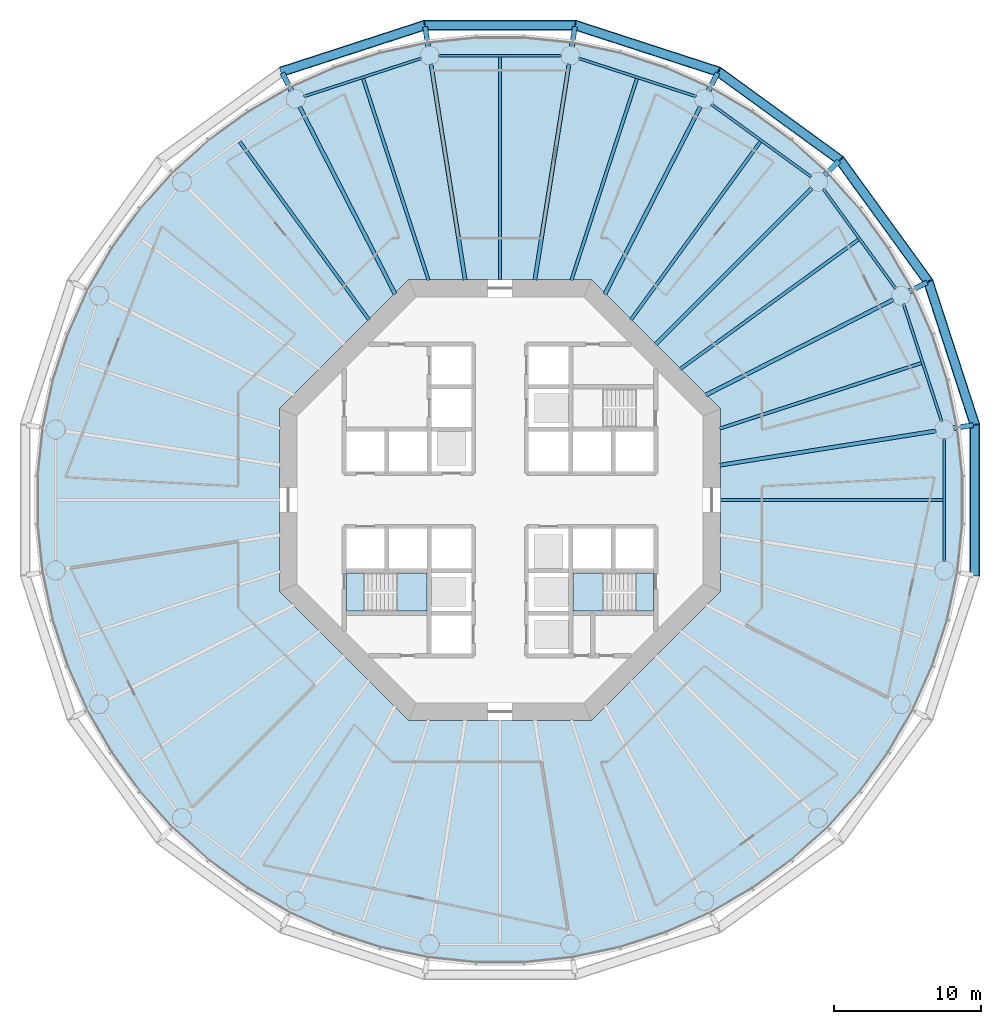
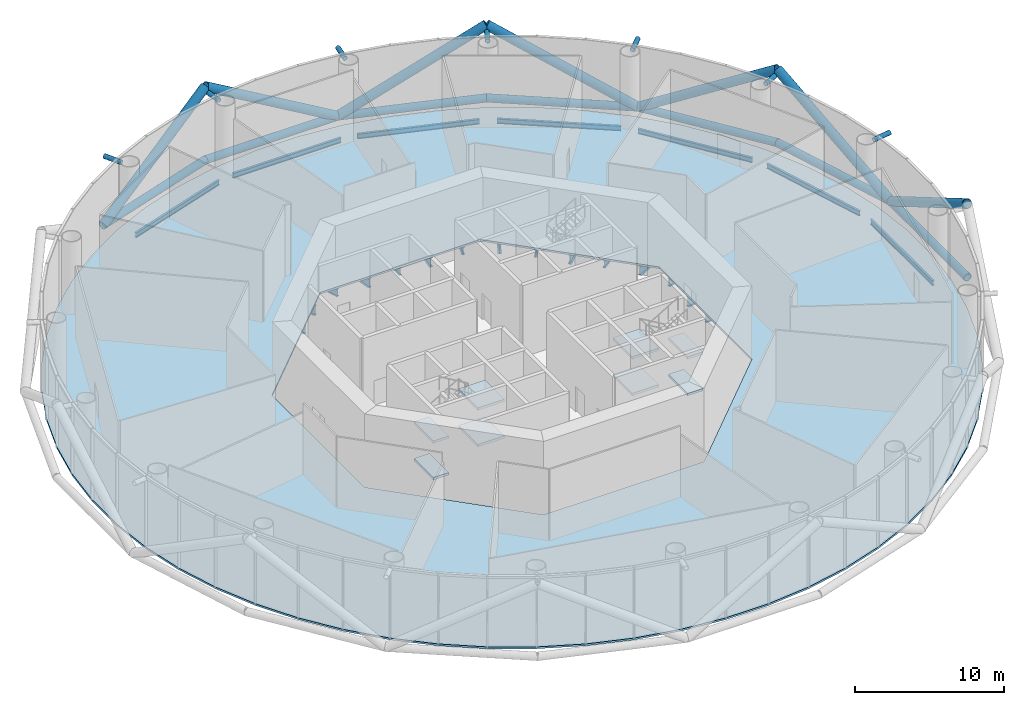
# One storey, part 2 of 14: 22 beams, 21 members, 9 slabs, 2 elements without a shape of their own.
"""IFC4 building model written with IfcOpenShell, lengths in metres."""

import ifcopenshell
import ifcopenshell.guid

model = None  # the IFC model being written
_history = None  # IfcOwnerHistory: only IFC2X3 demands one
_inside = {}  # id of a spatial element -> (the spatial element, [elements in it])
_under = {}  # id of a project, library or spatial element -> (it, [spatial elements below it])
_declared = {}  # id of a project -> (the project, [libraries it declares])
_typed = {}  # id of a type object -> (the type object, [elements of that type])
_made_of = {}  # id of a material, layer set ... -> (it, [elements and type objects made of it])


def new_model(schema):
    """Start an empty IFC model of exactly this schema.

    Asked for "IFC4X3", IfcOpenShell would pick the latest addendum, in which some entities
    have other attributes; the version numbers below select the first issue.
    IFC2X3 requires an IfcOwnerHistory on every rooted entity: one is made here for all.
    """
    global model, _history
    if schema == "IFC4X3":
        model = ifcopenshell.file(schema_version=(4, 3, 0, 0))
    else:
        model = ifcopenshell.file(schema=schema)
    _inside.clear()
    _under.clear()
    _declared.clear()
    _typed.clear()
    _made_of.clear()
    _history = None
    if model.schema == "IFC2X3":
        org = make("IfcOrganization", Name="unknown")
        user = make(
            "IfcPersonAndOrganization",
            ThePerson=make("IfcPerson", FamilyName="unknown"),
            TheOrganization=org,
        )
        app = make(
            "IfcApplication",
            ApplicationDeveloper=org,
            Version="unknown",
            ApplicationFullName="unknown",
            ApplicationIdentifier="unknown",
        )
        _history = make(
            "IfcOwnerHistory",
            OwningUser=user,
            OwningApplication=app,
            ChangeAction="ADDED",
            CreationDate=0,
        )
    return model


def make(cls, **values):
    """One entity of the class cls with the attributes given. An attribute that is None is left unset."""
    return model.create_entity(
        cls, **{name: value for name, value in values.items() if value is not None}
    )


def rooted(cls, **values):
    """An entity with a GlobalId (a new one), such as an element, a storey or a relation."""
    return make(cls, GlobalId=ifcopenshell.guid.new(), OwnerHistory=_history, **values)


def si_unit(unit_type, name, prefix=None):
    """IfcSIUnit, for example si_unit("LENGTHUNIT", "METRE", prefix="MILLI")."""
    return make("IfcSIUnit", UnitType=unit_type, Prefix=prefix, Name=name)


def assignment(units):
    """IfcUnitAssignment: the units of a project."""
    return None if units is None else make("IfcUnitAssignment", Units=units)


def point(xyz):
    """IfcCartesianPoint."""
    return None if xyz is None else make("IfcCartesianPoint", Coordinates=xyz)


def direction(xyz):
    """IfcDirection."""
    return None if xyz is None else make("IfcDirection", DirectionRatios=xyz)


def frame(location, z_axis=None, x_axis=None):
    """IfcAxis2Placement3D, a coordinate frame: its origin and axes. An axis left out is left unset."""
    return make(
        "IfcAxis2Placement3D",
        Location=point(location),
        Axis=direction(z_axis),
        RefDirection=direction(x_axis),
    )


def frame_2d(location, x_axis=None):
    """IfcAxis2Placement2D, a coordinate frame in the plane: its origin and x axis."""
    return make(
        "IfcAxis2Placement2D", Location=point(location), RefDirection=direction(x_axis)
    )


def origin():
    """The frame at (0, 0, 0) with its axes left unset."""
    return frame((0.0, 0.0, 0.0))


def origin_2d():
    """The frame at (0, 0) in the plane with its x axis left unset."""
    return frame_2d((0.0, 0.0))


def place(relative_to, where):
    """IfcLocalPlacement: puts the frame where relative to a parent placement (None: the world)."""
    return make(
        "IfcLocalPlacement", PlacementRelTo=relative_to, RelativePlacement=where
    )


def context(
    kind, dimensions, precision=None, world=None, true_north=None, identifier=None
):
    """IfcGeometricRepresentationContext, for example the 3D "Model" context."""
    return make(
        "IfcGeometricRepresentationContext",
        ContextIdentifier=identifier,
        ContextType=kind,
        CoordinateSpaceDimension=dimensions,
        Precision=precision,
        WorldCoordinateSystem=world,
        TrueNorth=true_north,
    )


def subcontext(parent, identifier, kind, view, scale=None):
    """IfcGeometricRepresentationSubContext, for example "Body" below "Model"."""
    return make(
        "IfcGeometricRepresentationSubContext",
        ContextIdentifier=identifier,
        ContextType=kind,
        ParentContext=parent,
        TargetScale=scale,
        TargetView=view,
    )


def project(units=None, contexts=None):
    """IfcProject with its units and contexts."""
    return rooted(
        "IfcProject",
        Name="project",
        RepresentationContexts=contexts,
        UnitsInContext=assignment(units),
    )


def spatial(cls, under=None, at=None, **own):
    """A site, building, storey or space (cls), placed at a placement, below another one or the project."""
    s = rooted(cls, ObjectPlacement=at, **own)
    if under is not None:
        _under.setdefault(under.id(), (under, []))[1].append(s)
    return s


def polyline(points):
    """IfcPolyline through the points."""
    return make("IfcPolyline", Points=[point(p) for p in points])


def profile(cls, at=None, kind="AREA", **sizes):
    """A parametric profile (cls). Its sizes go by their IFC names, for example OverallWidth=200.0."""
    return make(cls, ProfileType=kind, Position=at, **sizes)


def circle(**sizes):
    """IfcCircleProfileDef."""
    return profile("IfcCircleProfileDef", **sizes)


def hollow_circle(**sizes):
    """IfcCircleHollowProfileDef."""
    return profile("IfcCircleHollowProfileDef", **sizes)


def i_section(**sizes):
    """IfcIShapeProfileDef."""
    return profile("IfcIShapeProfileDef", **sizes)


def outline(outer, holes=None, kind="AREA"):
    """IfcArbitraryClosedProfileDef: a profile drawn as a closed curve; with holes, ...WithVoids."""
    if holes is None:
        return make("IfcArbitraryClosedProfileDef", ProfileType=kind, OuterCurve=outer)
    return make(
        "IfcArbitraryProfileDefWithVoids",
        ProfileType=kind,
        OuterCurve=outer,
        InnerCurves=holes,
    )


def extrude(swept, where, along, depth):
    """IfcExtrudedAreaSolid: the profile swept, set in the frame where, extruded along a direction by depth."""
    return make(
        "IfcExtrudedAreaSolid",
        SweptArea=swept,
        Position=where,
        ExtrudedDirection=direction(along),
        Depth=depth,
    )


def shape(context_of_items, identifier, shape_type, items):
    """IfcShapeRepresentation: the items that make up one representation, for example the "Body"."""
    return make(
        "IfcShapeRepresentation",
        ContextOfItems=context_of_items,
        RepresentationIdentifier=identifier,
        RepresentationType=shape_type,
        Items=items,
    )


def material(Name=None, Category=None):
    """IfcMaterial."""
    return make("IfcMaterial", Name=Name, Category=Category)


def layer(
    of_material, thickness, ventilated=None, Name=None, Category=None, Priority=None
):
    """IfcMaterialLayer: one layer of a wall or slab, of a material (None: an air gap)."""
    return make(
        "IfcMaterialLayer",
        Material=of_material,
        LayerThickness=thickness,
        IsVentilated=ventilated,
        Name=Name,
        Category=Category,
        Priority=Priority,
    )


def layer_set(layers, Name=None):
    """IfcMaterialLayerSet."""
    return make("IfcMaterialLayerSet", MaterialLayers=layers, LayerSetName=Name)


def material_profile(
    of_material, cross_section, Name=None, Category=None, Priority=None
):
    """IfcMaterialProfile: a cross section and its material."""
    return make(
        "IfcMaterialProfile",
        Name=Name,
        Material=of_material,
        Profile=cross_section,
        Priority=Priority,
        Category=Category,
    )


def profile_set(profiles, Name=None, composite=None):
    """IfcMaterialProfileSet."""
    return make(
        "IfcMaterialProfileSet",
        Name=Name,
        MaterialProfiles=profiles,
        CompositeProfile=composite,
    )


def made_of(thing, what):
    """Note that an element or type object is made of a material, layer set ...; save() writes the relation."""
    if what is not None:
        _made_of.setdefault(what.id(), (what, []))[1].append(thing)
    return thing


def type_object(cls, material=None, **own):
    """A type object (cls), such as IfcWallType, which elements share."""
    return made_of(rooted(cls, **own), material)


def element(
    cls,
    number,
    at=None,
    inside=None,
    cuts=None,
    type_object=None,
    material=None,
    context=None,
    identifier="Body",
    shape_type=None,
    held_by="IfcProductDefinitionShape",
    body=None,
    shapes=None,
    **own,
):
    """One element of the class cls, such as IfcWall. Its Tag is "e" and its number.

    at: its placement. inside: the storey or other place that contains it. cuts: it is an
    opening in that element (IfcRelVoidsElement). A single representation is given by context,
    identifier, shape_type and body (its items); several are given by shapes. held_by: the class
    of the entity that holds the representations. save() writes the other relations.
    """
    e = rooted(cls, Tag="e%d" % number, ObjectPlacement=at, **own)
    if body is not None:
        shapes = [shape(context, identifier, shape_type, body)]
    if shapes is not None:
        e.Representation = make(held_by, Representations=shapes)
    if inside is not None:
        _inside.setdefault(inside.id(), (inside, []))[1].append(e)
    if cuts is not None:
        rooted(
            "IfcRelVoidsElement", RelatingBuildingElement=cuts, RelatedOpeningElement=e
        )
    if type_object is not None:
        _typed.setdefault(type_object.id(), (type_object, []))[1].append(e)
    return made_of(e, material)


def aggregate(whole, parts):
    """IfcRelAggregates: a whole, such as a stair, and the parts it consists of."""
    return rooted("IfcRelAggregates", RelatingObject=whole, RelatedObjects=parts)


def save(model, path):
    """Write the relations noted so far, then the file.

    IfcRelAggregates (storeys below a building ...), IfcRelContainedInSpatialStructure (elements
    in a storey), IfcRelDefinesByType, IfcRelAssociatesMaterial and IfcRelDeclares: one each for
    every whole, place, type object, material and project.
    """
    for whole, parts in _under.values():
        aggregate(whole, parts)
    for where, things in _inside.values():
        rooted(
            "IfcRelContainedInSpatialStructure",
            RelatedElements=things,
            RelatingStructure=where,
        )
    for kind, things in _typed.values():
        rooted("IfcRelDefinesByType", RelatedObjects=things, RelatingType=kind)
    for what, things in _made_of.values():
        rooted("IfcRelAssociatesMaterial", RelatedObjects=things, RelatingMaterial=what)
    for by, libraries in _declared.values():
        rooted("IfcRelDeclares", RelatingContext=by, RelatedDefinitions=libraries)
    model.write(path)


model = new_model("IFC4")

# Units and contexts
model_context = context("Model", 3, precision=1e-05, world=origin(), true_north=direction((0.0, 1.0)))
body_context = subcontext(model_context, "Body", "Model", "MODEL_VIEW")
ifc_project = project(units=[si_unit("LENGTHUNIT", "METRE"), si_unit("AREAUNIT", "SQUARE_METRE"), si_unit("VOLUMEUNIT", "CUBIC_METRE"), si_unit("PLANEANGLEUNIT", "RADIAN"), si_unit("MASSUNIT", "GRAM", prefix="KILO")], contexts=[model_context])

# Site, building, storey
site_placement = place(None, origin())
site = spatial("IfcSite", under=ifc_project, at=site_placement, CompositionType="ELEMENT")
building_placement = place(site_placement, origin())
building = spatial("IfcBuilding", under=site, at=building_placement, Name="Entoto Ring Tower", CompositionType="ELEMENT")
storey_placement = place(building_placement, frame((0.0, 0.0, 132.0)))
storey = spatial("IfcBuildingStorey", under=building, at=storey_placement, Name="L30", CompositionType="ELEMENT", Elevation=132.0)

# Members
ifc_material_1 = material(Name="Steel S355", Category="steel")
ifc_material_profile_1 = material_profile(ifc_material_1, hollow_circle(Radius=0.35009765625, WallThickness=0.034912109375, at=origin_2d()), Name="CHS 700 x 35")
ifc_material_2 = material(Name="Concrete C60/75", Category="concrete")
ifc_material_profile_2 = material_profile(ifc_material_2, circle(Radius=0.31494140625, at=origin_2d()), Name="Concrete C60/75 infill")
ifc_profile_set_1 = profile_set([ifc_material_profile_1, ifc_material_profile_2], Name="Steel S355")
member_type_1 = type_object("IfcMemberType", Name="Diagrid diagonal 700 x 35 concrete-filled tube", PredefinedType="BRACE", material=ifc_profile_set_1)
member_1_placement = place(storey_placement, frame((122.29736328125, 85.115478515625, 0.0), z_axis=(0.0, -0.862604433537, 0.505879028268), x_axis=(1.0, 0.0, 0.0)))
element("IfcMember", 1, at=member_1_placement, inside=storey, type_object=member_type_1, Name="DG3 module 9 01", PredefinedType="BRACE", context=body_context, shape_type="SweptSolid", body=[
    extrude(hollow_circle(Radius=0.35009765625, WallThickness=0.034912109375, at=origin_2d()), origin(), (0.0, 0.0, 1.0), 11.860595703125),
])
for number, where, z_axis, x_axis, name in (
    (2, (122.29736328125, 85.115478515625, 0.0), (-0.266551077014, 0.820382008133, 0.505889201382), (-0.95105896794, -0.309009448885, 0.0), "DG3 module 9 02"),
    (3, (113.122314453125, 103.122314453125, 0.0), (0.507035164187, -0.697852636257, 0.505882437279), (0.809008424404, 0.587797047665, 0.0), "DG3 module 9 03"),
    (4, (113.122314453125, 103.122314453125, 0.0), (-0.697852636257, 0.507035164187, 0.505882437279), (-0.587797047665, -0.809008424404, 0.0), "DG3 module 9 04"),
    (5, (95.115478515625, 112.29736328125, 0.0), (0.820382008133, -0.266551077014, 0.505889201382), (0.309009448885, 0.95105896794, 0.0), "DG3 module 9 05"),
):
    element("IfcMember", number, at=place(storey_placement, frame(where, z_axis=z_axis, x_axis=x_axis)), inside=storey, type_object=member_type_1, Name=name, PredefinedType="BRACE", context=body_context, shape_type="SweptSolid", body=[
        extrude(hollow_circle(Radius=0.35009765625, WallThickness=0.034912109375, at=origin_2d()), origin(), (0.0, 0.0, 1.0), 11.8603515625),
    ])
member_2_placement = place(storey_placement, frame((95.115478515625, 112.29736328125, 0.0), z_axis=(-0.862604433537, 0.0, 0.505879028268), x_axis=(0.0, -1.0, 0.0)))
element("IfcMember", 6, at=member_2_placement, inside=storey, type_object=member_type_1, Name="DG3 module 9 06", PredefinedType="BRACE", context=body_context, shape_type="SweptSolid", body=[
    extrude(hollow_circle(Radius=0.35009765625, WallThickness=0.034912109375, at=origin_2d()), origin(), (0.0, 0.0, 1.0), 11.860595703125),
])
member_3_placement = place(storey_placement, frame((75.154541015625, 109.135986328125, 0.0), z_axis=(0.820382008133, 0.266551077014, 0.505889201382), x_axis=(-0.309009448885, 0.95105896794, 0.0)))
element("IfcMember", 7, at=member_3_placement, inside=storey, type_object=member_type_1, Name="DG3 module 9 07", PredefinedType="BRACE", context=body_context, shape_type="SweptSolid", body=[
    extrude(hollow_circle(Radius=0.35009765625, WallThickness=0.034912109375, at=origin_2d()), origin(), (0.0, 0.0, 1.0), 11.8603515625),
])
ifc_material_3 = material(Name="Steel S355", Category="steel")
ifc_material_profile_3 = material_profile(ifc_material_3, hollow_circle(Radius=0.177734375, WallThickness=0.01611328125, at=origin_2d()), Name="CHS 355.6 x 16")
ifc_material_4 = material(Name="Concrete C60/75", Category="concrete")
ifc_material_profile_4 = material_profile(ifc_material_4, circle(Radius=0.161865234375, at=origin_2d()), Name="Concrete C60/75 infill")
ifc_profile_set_2 = profile_set([ifc_material_profile_3, ifc_material_profile_4], Name="Steel S355")
member_type_2 = type_object("IfcMemberType", Name="Diagrid node strut 355.6 x 16", PredefinedType="STRUT", material=ifc_profile_set_2)
for number, where, z_axis, x_axis, name in (
    (8, (117.8271484375, 94.1787109375, 5.672119140625), (0.891049024255, 0.453907079009, 0.0), (-0.453907079009, 0.891049024255, 0.0), "DS1 strut ring 9 01"),
    (9, (112.083740234375, 102.083740234375, 5.672119140625), (0.707106781187, 0.707106781187, 0.0), (-0.707106781187, 0.707106781187, 0.0), "DS1 strut ring 9 02"),
    (10, (104.1787109375, 107.8271484375, 5.672119140625), (0.453907079009, 0.891049024255, 0.0), (-0.891049024255, 0.453907079009, 0.0), "DS1 strut ring 9 03"),
    (11, (94.8857421875, 110.8466796875, 5.672119140625), (0.156411319862, 0.987692006153, 0.0), (-0.987692006153, 0.156411319862, 0.0), "DS1 strut ring 9 04"),
    (12, (85.1142578125, 110.8466796875, 5.672119140625), (-0.156411319862, 0.987692006153, 0.0), (-0.987692006153, -0.156411319862, 0.0), "DS1 strut ring 9 05"),
    (13, (75.8212890625, 107.8271484375, 5.672119140625), (-0.453907079009, 0.891049024255, 0.0), (-0.891049024255, -0.453907079009, 0.0), "DS1 strut ring 9 06"),
    (14, (120.8466796875, 84.8857421875, 5.672119140625), (0.987692006153, 0.156411319862, 0.0), (-0.156411319862, 0.987692006153, 0.0), "DS1 strut ring 9 20"),
):
    element("IfcMember", number, at=place(storey_placement, frame(where, z_axis=z_axis, x_axis=x_axis)), inside=storey, type_object=member_type_2, Name=name, PredefinedType="STRUT", context=body_context, shape_type="SweptSolid", body=[
        extrude(hollow_circle(Radius=0.177734375, WallThickness=0.01611328125, at=origin_2d()), origin(), (0.0, 0.0, 1.0), 1.368896484375),
    ])
ifc_material_5 = material(Name="Steel S355", Category="steel")
ifc_material_profile_5 = material_profile(ifc_material_5, hollow_circle(Radius=0.300048828125, WallThickness=0.030029296875, at=origin_2d()), Name="CHS 600 x 30")
ifc_material_6 = material(Name="Concrete C60/75", Category="concrete")
ifc_material_profile_6 = material_profile(ifc_material_6, circle(Radius=0.27001953125, at=origin_2d()), Name="Concrete C60/75 infill")
ifc_profile_set_3 = profile_set([ifc_material_profile_5, ifc_material_profile_6], Name="Steel S355")
member_type_3 = type_object("IfcMemberType", Name="Diagrid ring beam 600 x 30", PredefinedType="CHORD", material=ifc_profile_set_3)
member_4_placement = place(storey_placement, frame((122.318359375, 85.05126953125, 0.0), z_axis=(-0.309032815696, 0.951051375491, 0.0), x_axis=(-0.951051375491, -0.309032815696, 0.0)))
element("IfcMember", 15, at=member_4_placement, inside=storey, type_object=member_type_3, Name="DR1 ring 8 01", PredefinedType="CHORD", context=body_context, shape_type="SweptSolid", body=[
    extrude(hollow_circle(Radius=0.300048828125, WallThickness=0.030029296875, at=origin_2d()), origin(), (0.0, 0.0, 1.0), 10.36572265625),
])
for number, where, z_axis, x_axis, name in (
    (16, (119.175537109375, 94.790771484375, 0.0), (-0.587773909122, 0.809025235549, 0.0), (-0.809025235549, -0.587773909122, 0.0), "DR1 ring 8 02"),
    (17, (113.177001953125, 103.082763671875, 0.0), (-0.809025235549, 0.587773909122, 0.0), (-0.587773909122, -0.809025235549, 0.0), "DR1 ring 8 03"),
):
    element("IfcMember", number, at=place(storey_placement, frame(where, z_axis=z_axis, x_axis=x_axis)), inside=storey, type_object=member_type_3, Name=name, PredefinedType="CHORD", context=body_context, shape_type="SweptSolid", body=[
        extrude(hollow_circle(Radius=0.300048828125, WallThickness=0.030029296875, at=origin_2d()), origin(), (0.0, 0.0, 1.0), 10.365966796875),
    ])
for number, where, z_axis, x_axis, name in (
    (18, (104.90966796875, 109.114990234375, 0.0), (-0.951051375491, 0.309032815696, 0.0), (-0.309032815696, -0.951051375491, 0.0), "DR1 ring 8 04"),
    (19, (95.182861328125, 112.29736328125, 0.0), (-1.0, 0.0, 0.0), (0.0, -1.0, 0.0), "DR1 ring 8 05"),
    (20, (84.94873046875, 112.318359375, 0.0), (-0.951051375491, -0.309032815696, 0.0), (0.309032815696, -0.951051375491, 0.0), "DR1 ring 8 06"),
    (21, (122.29736328125, 74.817138671875, 0.0), (0.0, 1.0, 0.0), (-1.0, 0.0, 0.0), "DR1 ring 8 20"),
):
    element("IfcMember", number, at=place(storey_placement, frame(where, z_axis=z_axis, x_axis=x_axis)), inside=storey, type_object=member_type_3, Name=name, PredefinedType="CHORD", context=body_context, shape_type="SweptSolid", body=[
        extrude(hollow_circle(Radius=0.300048828125, WallThickness=0.030029296875, at=origin_2d()), origin(), (0.0, 0.0, 1.0), 10.36572265625),
    ])

# Beams
ifc_material_7 = material(Name="Steel S355", Category="steel")
ifc_material_profile_7 = material_profile(ifc_material_7, i_section(OverallWidth=0.179931640625, OverallDepth=0.39990234375, WebThickness=0.008544921875, FlangeThickness=0.013427734375, FilletRadius=0.02099609375, at=origin_2d()), Name="IPE 400")
ifc_profile_set_4 = profile_set([ifc_material_profile_7], Name="Steel S355")
beam_type_1 = type_object("IfcBeamType", Name="Edge beam IPE 400", PredefinedType="SPANDREL", material=ifc_profile_set_4)
for number, where, z_axis, x_axis, name in (
    (22, (120.038330078125, 85.35595703125, -0.35009765625), (-0.309014241039, 0.951057410904, 0.0), (-0.951057410904, -0.309014241039, 0.0), "Edge beam L30 01"),
    (23, (116.9130859375, 94.376220703125, -0.35009765625), (-0.587783458554, 0.8090182976, 0.0), (-0.8090182976, -0.587783458554, 0.0), "Edge beam L30 02"),
    (24, (111.1533203125, 101.9892578125, -0.35009765625), (-0.8090182976, 0.587783458554, 0.0), (-0.587783458554, -0.8090182976, 0.0), "Edge beam L30 03"),
    (25, (103.322998046875, 107.44970703125, -0.35009765625), (-0.951057410904, 0.309014241039, 0.0), (-0.309014241039, -0.951057410904, 0.0), "Edge beam L30 04"),
    (26, (94.1884765625, 110.22314453125, -0.35009765625), (-1.0, 0.0, 0.0), (0.0, -1.0, 0.0), "Edge beam L30 05"),
    (27, (84.64404296875, 110.038330078125, -0.35009765625), (-0.951057410904, -0.309014241039, 0.0), (0.309014241039, -0.951057410904, 0.0), "Edge beam L30 06"),
    (28, (120.22314453125, 75.8115234375, -0.35009765625), (0.0, 1.0, 0.0), (-1.0, 0.0, 0.0), "Edge beam L30 20"),
):
    element("IfcBeam", number, at=place(storey_placement, frame(where, z_axis=z_axis, x_axis=x_axis)), inside=storey, type_object=beam_type_1, Name=name, PredefinedType="SPANDREL", context=body_context, shape_type="SweptSolid", body=[
        extrude(i_section(OverallWidth=0.179931640625, OverallDepth=0.39990234375, WebThickness=0.008544921875, FlangeThickness=0.013427734375, FilletRadius=0.02099609375, at=origin_2d()), origin(), (0.0, 0.0, 1.0), 8.376953125),
    ])
ifc_material_8 = material(Name="Steel S355", Category="steel")
ifc_material_profile_8 = material_profile(ifc_material_8, i_section(OverallWidth=0.262939453125, OverallDepth=0.7529296875, WebThickness=0.011474609375, FlangeThickness=0.01708984375, FilletRadius=0.01708984375, at=origin_2d()), Name="IPE 750 x 137")
ifc_profile_set_5 = profile_set([ifc_material_profile_8], Name="Steel S355")
beam_type_2 = type_object("IfcBeamType", Name="Primary floor beam IPE 750 x 137", PredefinedType="BEAM", material=ifc_profile_set_5)
beam_1_placement = place(storey_placement, frame((104.959716796875, 82.369384765625, -0.526611328125), z_axis=(0.98768960451, 0.156426484787, 0.0), x_axis=(-0.156426484787, 0.98768960451, 0.0)))
element("IfcBeam", 29, at=beam_1_placement, inside=storey, type_object=beam_type_2, Name="Primary L30 R01", PredefinedType="BEAM", context=body_context, shape_type="SweptSolid", body=[
    extrude(i_section(OverallWidth=0.262939453125, OverallDepth=0.7529296875, WebThickness=0.011474609375, FlangeThickness=0.01708984375, FilletRadius=0.01708984375, at=origin_2d()), origin(), (0.0, 0.0, 1.0), 14.86279296875),
])
beam_2_placement = place(storey_placement, frame((103.9970703125, 87.1318359375, -0.526611328125), z_axis=(0.891007312585, 0.453988952421, 0.0), x_axis=(-0.453988952421, 0.891007312585, 0.0)))
element("IfcBeam", 30, at=beam_2_placement, inside=storey, type_object=beam_type_2, Name="Primary L30 R02", PredefinedType="BEAM", context=body_context, shape_type="SweptSolid", body=[
    extrude(i_section(OverallWidth=0.262939453125, OverallDepth=0.7529296875, WebThickness=0.011474609375, FlangeThickness=0.01708984375, FilletRadius=0.01708984375, at=origin_2d()), origin(), (0.0, 0.0, 1.0), 14.2998046875),
])
beam_3_placement = place(storey_placement, frame((100.592529296875, 90.592529296875, -0.526611328125), z_axis=(0.707106781187, 0.707106781187, 0.0), x_axis=(-0.707106781187, 0.707106781187, 0.0)))
element("IfcBeam", 31, at=beam_3_placement, inside=storey, type_object=beam_type_2, Name="Primary L30 R03", PredefinedType="BEAM", context=body_context, shape_type="SweptSolid", body=[
    extrude(i_section(OverallWidth=0.262939453125, OverallDepth=0.7529296875, WebThickness=0.011474609375, FlangeThickness=0.01708984375, FilletRadius=0.01708984375, at=origin_2d()), origin(), (0.0, 0.0, 1.0), 15.029052734375),
])
beam_4_placement = place(storey_placement, frame((97.1318359375, 93.9970703125, -0.526611328125), z_axis=(0.453988952421, 0.891007312585, 0.0), x_axis=(-0.891007312585, 0.453988952421, 0.0)))
element("IfcBeam", 32, at=beam_4_placement, inside=storey, type_object=beam_type_2, Name="Primary L30 R04", PredefinedType="BEAM", context=body_context, shape_type="SweptSolid", body=[
    extrude(i_section(OverallWidth=0.262939453125, OverallDepth=0.7529296875, WebThickness=0.011474609375, FlangeThickness=0.01708984375, FilletRadius=0.01708984375, at=origin_2d()), origin(), (0.0, 0.0, 1.0), 14.2998046875),
])
for number, where, z_axis, x_axis, name in (
    (33, (92.369384765625, 94.959716796875, -0.526611328125), (0.156426484787, 0.98768960451, 0.0), (-0.98768960451, 0.156426484787, 0.0), "Primary L30 R05"),
    (34, (87.630615234375, 94.959716796875, -0.526611328125), (-0.156426484787, 0.98768960451, 0.0), (-0.98768960451, -0.156426484787, 0.0), "Primary L30 R06"),
):
    element("IfcBeam", number, at=place(storey_placement, frame(where, z_axis=z_axis, x_axis=x_axis)), inside=storey, type_object=beam_type_2, Name=name, PredefinedType="BEAM", context=body_context, shape_type="SweptSolid", body=[
        extrude(i_section(OverallWidth=0.262939453125, OverallDepth=0.7529296875, WebThickness=0.011474609375, FlangeThickness=0.01708984375, FilletRadius=0.01708984375, at=origin_2d()), origin(), (0.0, 0.0, 1.0), 14.86279296875),
    ])
beam_5_placement = place(storey_placement, frame((82.8681640625, 93.9970703125, -0.526611328125), z_axis=(-0.453988952421, 0.891007312585, 0.0), x_axis=(-0.891007312585, -0.453988952421, 0.0)))
element("IfcBeam", 35, at=beam_5_placement, inside=storey, type_object=beam_type_2, Name="Primary L30 R07", PredefinedType="BEAM", context=body_context, shape_type="SweptSolid", body=[
    extrude(i_section(OverallWidth=0.262939453125, OverallDepth=0.7529296875, WebThickness=0.011474609375, FlangeThickness=0.01708984375, FilletRadius=0.01708984375, at=origin_2d()), origin(), (0.0, 0.0, 1.0), 14.2998046875),
])
ifc_material_9 = material(Name="Steel S355", Category="steel")
ifc_material_profile_9 = material_profile(ifc_material_9, i_section(OverallWidth=0.219970703125, OverallDepth=0.60009765625, WebThickness=0.011962890625, FlangeThickness=0.01904296875, FilletRadius=0.02392578125, at=origin_2d()), Name="IPE 600")
ifc_profile_set_6 = profile_set([ifc_material_profile_9], Name="Steel S355")
beam_type_3 = type_object("IfcBeamType", Name="Secondary floor beam IPE 600", PredefinedType="JOIST", material=ifc_profile_set_6)
beam_6_placement = place(storey_placement, frame((104.947021484375, 84.856689453125, -0.449951171875), z_axis=(0.951057212949, 0.309014850288, 0.0), x_axis=(-0.309014850288, 0.951057212949, 0.0)))
element("IfcBeam", 36, at=beam_6_placement, inside=storey, type_object=beam_type_3, Name="Secondary beam L30 01", PredefinedType="JOIST", context=body_context, shape_type="SweptSolid", body=[
    extrude(i_section(OverallWidth=0.219970703125, OverallDepth=0.60009765625, WebThickness=0.011962890625, FlangeThickness=0.01904296875, FilletRadius=0.02392578125, at=origin_2d()), origin(), (0.0, 0.0, 1.0), 14.4169921875),
])
for number, where, z_axis, x_axis, name in (
    (37, (102.25634765625, 88.90478515625, -0.449951171875), (0.809019238239, 0.587782163866, 0.0), (-0.587782163866, 0.809019238239, 0.0), "Secondary beam L30 02"),
    (38, (98.90478515625, 92.25634765625, -0.449951171875), (0.587782163866, 0.809019238239, 0.0), (-0.809019238239, 0.587782163866, 0.0), "Secondary beam L30 03"),
):
    element("IfcBeam", number, at=place(storey_placement, frame(where, z_axis=z_axis, x_axis=x_axis)), inside=storey, type_object=beam_type_3, Name=name, PredefinedType="JOIST", context=body_context, shape_type="SweptSolid", body=[
        extrude(i_section(OverallWidth=0.219970703125, OverallDepth=0.60009765625, WebThickness=0.011962890625, FlangeThickness=0.01904296875, FilletRadius=0.02392578125, at=origin_2d()), origin(), (0.0, 0.0, 1.0), 14.983642578125),
    ])
beam_7_placement = place(storey_placement, frame((94.856689453125, 94.947021484375, -0.449951171875), z_axis=(0.309014850288, 0.951057212949, 0.0), x_axis=(-0.951057212949, 0.309014850288, 0.0)))
element("IfcBeam", 39, at=beam_7_placement, inside=storey, type_object=beam_type_3, Name="Secondary beam L30 04", PredefinedType="JOIST", context=body_context, shape_type="SweptSolid", body=[
    extrude(i_section(OverallWidth=0.219970703125, OverallDepth=0.60009765625, WebThickness=0.011962890625, FlangeThickness=0.01904296875, FilletRadius=0.02392578125, at=origin_2d()), origin(), (0.0, 0.0, 1.0), 14.4169921875),
])
beam_8_placement = place(storey_placement, frame((90.0, 94.97998046875, -0.449951171875), z_axis=(0.0, 1.0, 0.0), x_axis=(-1.0, 0.0, 0.0)))
element("IfcBeam", 40, at=beam_8_placement, inside=storey, type_object=beam_type_3, Name="Secondary beam L30 05", PredefinedType="JOIST", context=body_context, shape_type="SweptSolid", body=[
    extrude(i_section(OverallWidth=0.219970703125, OverallDepth=0.60009765625, WebThickness=0.011962890625, FlangeThickness=0.01904296875, FilletRadius=0.02392578125, at=origin_2d()), origin(), (0.0, 0.0, 1.0), 15.1533203125),
])
beam_9_placement = place(storey_placement, frame((85.143310546875, 94.947021484375, -0.449951171875), z_axis=(-0.309014850288, 0.951057212949, 0.0), x_axis=(-0.951057212949, -0.309014850288, 0.0)))
element("IfcBeam", 41, at=beam_9_placement, inside=storey, type_object=beam_type_3, Name="Secondary beam L30 06", PredefinedType="JOIST", context=body_context, shape_type="SweptSolid", body=[
    extrude(i_section(OverallWidth=0.219970703125, OverallDepth=0.60009765625, WebThickness=0.011962890625, FlangeThickness=0.01904296875, FilletRadius=0.02392578125, at=origin_2d()), origin(), (0.0, 0.0, 1.0), 14.4169921875),
])
beam_10_placement = place(storey_placement, frame((81.09521484375, 92.25634765625, -0.449951171875), z_axis=(-0.587782163866, 0.809019238239, 0.0), x_axis=(-0.809019238239, -0.587782163866, 0.0)))
element("IfcBeam", 42, at=beam_10_placement, inside=storey, type_object=beam_type_3, Name="Secondary beam L30 07", PredefinedType="JOIST", context=body_context, shape_type="SweptSolid", body=[
    extrude(i_section(OverallWidth=0.219970703125, OverallDepth=0.60009765625, WebThickness=0.011962890625, FlangeThickness=0.01904296875, FilletRadius=0.02392578125, at=origin_2d()), origin(), (0.0, 0.0, 1.0), 14.983642578125),
])
beam_11_placement = place(storey_placement, frame((104.97998046875, 80.0, -0.449951171875), z_axis=(1.0, 0.0, 0.0), x_axis=(0.0, 1.0, 0.0)))
element("IfcBeam", 43, at=beam_11_placement, inside=storey, type_object=beam_type_3, Name="Secondary beam L30 20", PredefinedType="JOIST", context=body_context, shape_type="SweptSolid", body=[
    extrude(i_section(OverallWidth=0.219970703125, OverallDepth=0.60009765625, WebThickness=0.011962890625, FlangeThickness=0.01904296875, FilletRadius=0.02392578125, at=origin_2d()), origin(), (0.0, 0.0, 1.0), 15.1533203125),
])

# Slab
ifc_material_10 = material(Name="Concrete C30/37", Category="concrete")
ifc_layer_1 = layer(ifc_material_10, 0.14990234375)
ifc_layer_set_1 = layer_set([ifc_layer_1], Name="Concrete C30/37")
slab_type_1 = type_object("IfcSlabType", Name="Composite floor slab 150 mm", PredefinedType="FLOOR", material=ifc_layer_set_1)
slab_1_placement = place(storey_placement, frame((0.0, 0.0, -0.14990234375)))
element("IfcSlab", 44, at=slab_1_placement, inside=storey, type_object=slab_type_1, Name="Floor slab L30", PredefinedType="FLOOR", context=body_context, shape_type="SweptSolid", body=[
    extrude(outline(polyline([(121.2109375, 84.943359375), (120.523193359375, 88.1787109375), (119.501220703125, 91.324462890625), (118.15576171875, 94.34619140625), (116.501953125, 97.210693359375), (114.557861328125, 99.886474609375), (112.344482421875, 102.344482421875), (109.886474609375, 104.557861328125), (107.210693359375, 106.501953125), (104.34619140625, 108.15576171875), (101.324462890625, 109.501220703125), (98.1787109375, 110.523193359375), (94.943359375, 111.2109375), (91.65380859375, 111.556640625), (88.34619140625, 111.556640625), (85.056640625, 111.2109375), (81.8212890625, 110.523193359375), (78.675537109375, 109.501220703125), (75.65380859375, 108.15576171875), (72.789306640625, 106.501953125), (70.113525390625, 104.557861328125), (67.655517578125, 102.344482421875), (65.442138671875, 99.886474609375), (63.498046875, 97.210693359375), (61.84423828125, 94.34619140625), (60.498779296875, 91.324462890625), (59.476806640625, 88.1787109375), (58.7890625, 84.943359375), (58.443359375, 81.65380859375), (58.443359375, 78.34619140625), (58.7890625, 75.056640625), (59.476806640625, 71.8212890625), (60.498779296875, 68.675537109375), (61.84423828125, 65.65380859375), (63.498046875, 62.789306640625), (65.442138671875, 60.113525390625), (67.655517578125, 57.655517578125), (70.113525390625, 55.442138671875), (72.789306640625, 53.498046875), (75.65380859375, 51.84423828125), (78.675537109375, 50.498779296875), (81.8212890625, 49.476806640625), (85.056640625, 48.7890625), (88.34619140625, 48.443359375), (91.65380859375, 48.443359375), (94.943359375, 48.7890625), (98.1787109375, 49.476806640625), (101.324462890625, 50.498779296875), (104.34619140625, 51.84423828125), (107.210693359375, 53.498046875), (109.886474609375, 55.442138671875), (112.344482421875, 57.655517578125), (114.557861328125, 60.113525390625), (116.501953125, 62.789306640625), (118.15576171875, 65.65380859375), (119.501220703125, 68.675537109375), (120.523193359375, 71.8212890625), (121.2109375, 75.056640625), (121.556640625, 78.34619140625), (121.556640625, 81.65380859375), (121.2109375, 84.943359375)]), holes=[polyline([(105.0, 73.786865234375), (105.0, 86.213134765625), (96.213134765625, 95.0), (83.786865234375, 95.0), (75.0, 86.213134765625), (75.0, 73.786865234375), (83.786865234375, 65.0), (96.213134765625, 65.0), (105.0, 73.786865234375)])]), origin(), (0.0, 0.0, 1.0), 0.14990234375),
])

# Stair, slabs
ifc_material_11 = material(Name="Concrete C40/50", Category="concrete")
stair_type = type_object("IfcStairType", Name="Exit stair 1200 mm dog-leg reinforced concrete", PredefinedType="HALF_TURN_STAIR", material=ifc_material_11)
stair_1_placement = place(storey_placement, origin())
stair_1 = element("IfcStair", 45, at=stair_1_placement, inside=storey, type_object=stair_type, Name="Exit stair 2", PredefinedType="HALF_TURN_STAIR")
ifc_material_12 = material(Name="Concrete C40/50", Category="concrete")
ifc_layer_2 = layer(ifc_material_12, 0.199951171875)
ifc_layer_set_2 = layer_set([ifc_layer_2], Name="Concrete C40/50")
slab_type_2 = type_object("IfcSlabType", Name="Stair landing 200 mm reinforced concrete", PredefinedType="LANDING", material=ifc_layer_set_2)
slab_2_placement = place(storey_placement, frame((0.0, 0.0, -0.199951171875)))
slab_2 = element("IfcSlab", 46, at=slab_2_placement, type_object=slab_type_2, Name="ST2 landing 1", PredefinedType="LANDING", context=body_context, shape_type="SweptSolid", body=[
    extrude(outline(polyline([(80.75, 72.449951171875), (80.75, 75.050048828125), (79.550048828125, 75.050048828125), (79.550048828125, 72.449951171875), (80.75, 72.449951171875)])), origin(), (0.0, 0.0, 1.0), 0.199951171875),
])
slab_3_placement = place(storey_placement, frame((0.0, 0.0, 1.300048828125)))
slab_3 = element("IfcSlab", 47, at=slab_3_placement, type_object=slab_type_2, Name="ST2 landing 2", PredefinedType="LANDING", context=body_context, shape_type="SweptSolid", body=[
    extrude(outline(polyline([(82.989990234375, 72.449951171875), (85.050048828125, 72.449951171875), (85.050048828125, 75.050048828125), (82.989990234375, 75.050048828125), (82.989990234375, 72.449951171875)])), origin(), (0.0, 0.0, 1.0), 0.199951171875),
])
slab_4_placement = place(storey_placement, frame((0.0, 0.0, 2.800048828125)))
slab_4 = element("IfcSlab", 48, at=slab_4_placement, type_object=slab_type_2, Name="ST2 landing 3", PredefinedType="LANDING", context=body_context, shape_type="SweptSolid", body=[
    extrude(outline(polyline([(79.550048828125, 72.449951171875), (80.75, 72.449951171875), (80.75, 75.050048828125), (79.550048828125, 75.050048828125), (79.550048828125, 72.449951171875)])), origin(), (0.0, 0.0, 1.0), 0.199951171875),
])
slab_5_placement = place(storey_placement, frame((0.0, 0.0, 4.300048828125)))
slab_5 = element("IfcSlab", 49, at=slab_5_placement, type_object=slab_type_2, Name="ST2 landing 4", PredefinedType="LANDING", context=body_context, shape_type="SweptSolid", body=[
    extrude(outline(polyline([(82.989990234375, 72.449951171875), (85.050048828125, 72.449951171875), (85.050048828125, 75.050048828125), (82.989990234375, 75.050048828125), (82.989990234375, 72.449951171875)])), origin(), (0.0, 0.0, 1.0), 0.199951171875),
])
aggregate(stair_1, [slab_2, slab_3, slab_4, slab_5])

stair_2_placement = place(storey_placement, origin())
stair_2 = element("IfcStair", 50, at=stair_2_placement, inside=storey, type_object=stair_type, Name="Exit stair 3", PredefinedType="HALF_TURN_STAIR")
slab_6_placement = place(storey_placement, frame((0.0, 0.0, -0.199951171875)))
slab_6 = element("IfcSlab", 51, at=slab_6_placement, type_object=slab_type_2, Name="ST3 landing 1", PredefinedType="LANDING", context=body_context, shape_type="SweptSolid", body=[
    extrude(outline(polyline([(100.449951171875, 72.449951171875), (100.449951171875, 75.050048828125), (99.25, 75.050048828125), (99.25, 72.449951171875), (100.449951171875, 72.449951171875)])), origin(), (0.0, 0.0, 1.0), 0.199951171875),
])
slab_7_placement = place(storey_placement, frame((0.0, 0.0, 1.300048828125)))
slab_7 = element("IfcSlab", 52, at=slab_7_placement, type_object=slab_type_2, Name="ST3 landing 2", PredefinedType="LANDING", context=body_context, shape_type="SweptSolid", body=[
    extrude(outline(polyline([(94.949951171875, 72.449951171875), (97.010009765625, 72.449951171875), (97.010009765625, 75.050048828125), (94.949951171875, 75.050048828125), (94.949951171875, 72.449951171875)])), origin(), (0.0, 0.0, 1.0), 0.199951171875),
])
slab_8_placement = place(storey_placement, frame((0.0, 0.0, 2.800048828125)))
slab_8 = element("IfcSlab", 53, at=slab_8_placement, type_object=slab_type_2, Name="ST3 landing 3", PredefinedType="LANDING", context=body_context, shape_type="SweptSolid", body=[
    extrude(outline(polyline([(99.25, 72.449951171875), (100.449951171875, 72.449951171875), (100.449951171875, 75.050048828125), (99.25, 75.050048828125), (99.25, 72.449951171875)])), origin(), (0.0, 0.0, 1.0), 0.199951171875),
])
slab_9_placement = place(storey_placement, frame((0.0, 0.0, 4.300048828125)))
slab_9 = element("IfcSlab", 54, at=slab_9_placement, type_object=slab_type_2, Name="ST3 landing 4", PredefinedType="LANDING", context=body_context, shape_type="SweptSolid", body=[
    extrude(outline(polyline([(94.949951171875, 72.449951171875), (97.010009765625, 72.449951171875), (97.010009765625, 75.050048828125), (94.949951171875, 75.050048828125), (94.949951171875, 72.449951171875)])), origin(), (0.0, 0.0, 1.0), 0.199951171875),
])
aggregate(stair_2, [slab_6, slab_7, slab_8, slab_9])

save(model, "model.ifc")
